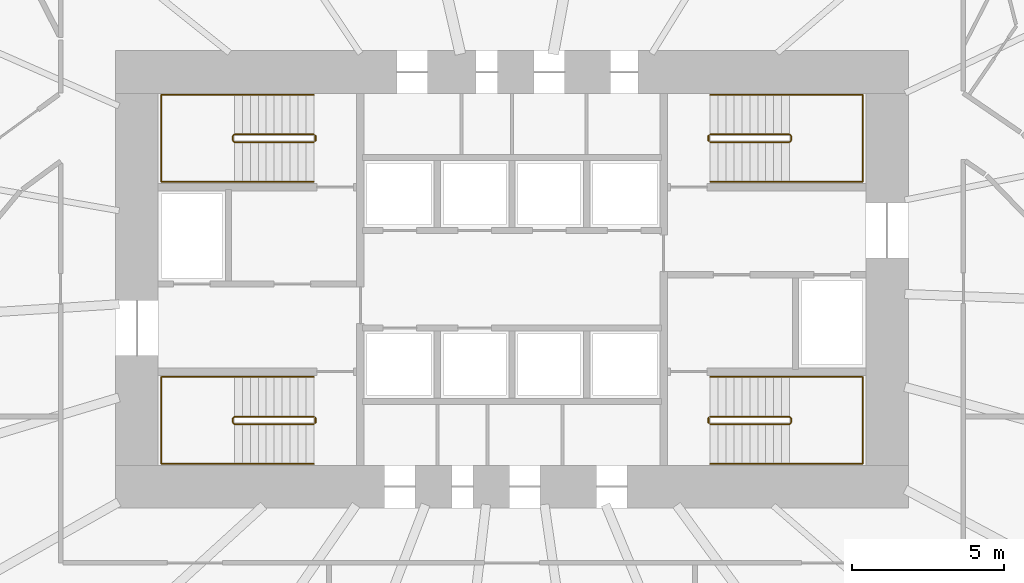
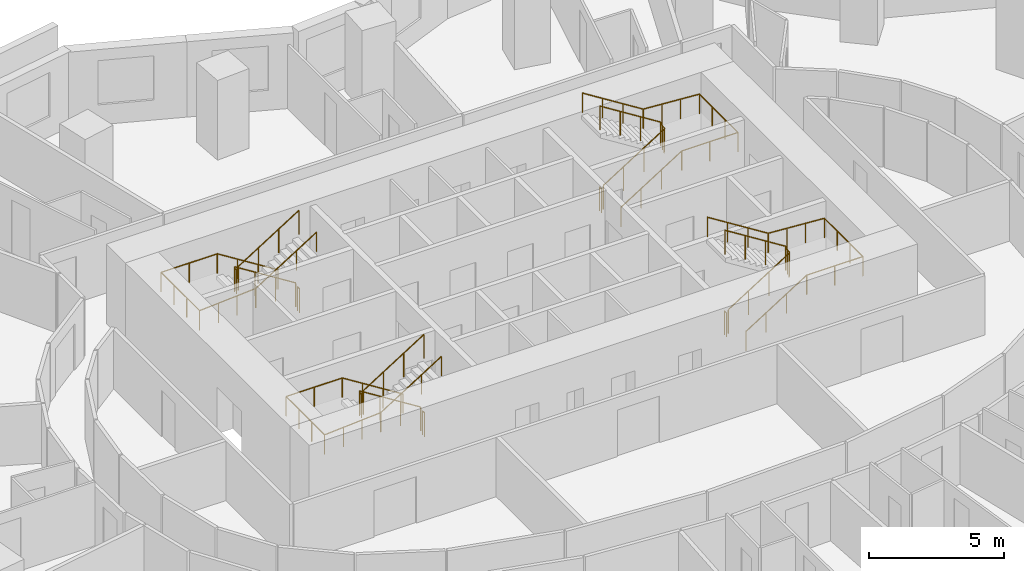
# One storey, part 11 of 11: 12 railings.
"""IFC4 building model written with IfcOpenShell, lengths in metres."""

from ifc_helpers import new_model, si_unit, direction, frame, origin, origin_2d, place, context, subcontext, project, spatial, circle, extrude, material, type_object, element, save


model = new_model("IFC4")

# Units and contexts
model_context = context("Model", 3, precision=1e-05, world=origin(), true_north=direction((0.0, 1.0)))
body_context = subcontext(model_context, "Body", "Model", "MODEL_VIEW")
ifc_project = project(units=[si_unit("LENGTHUNIT", "METRE"), si_unit("AREAUNIT", "SQUARE_METRE"), si_unit("VOLUMEUNIT", "CUBIC_METRE"), si_unit("PLANEANGLEUNIT", "RADIAN"), si_unit("MASSUNIT", "GRAM", prefix="KILO")], contexts=[model_context])

# Site, building, storey
site_placement = place(None, origin())
site = spatial("IfcSite", under=ifc_project, at=site_placement, CompositionType="ELEMENT")
building_placement = place(site_placement, origin())
building = spatial("IfcBuilding", under=site, at=building_placement, Name="Rubra Terraces Tower", CompositionType="ELEMENT")
storey_placement = place(building_placement, frame((0.0, 0.0, 69.89990234375)))
storey = spatial("IfcBuildingStorey", under=building, at=storey_placement, Name="L15", CompositionType="ELEMENT", Elevation=69.89990234375)

# Railings
ifc_material = material(Name="Stainless steel", Category="steel")
railing_type_1 = type_object("IfcRailingType", Name="Core stair guard 1100", PredefinedType="GUARDRAIL", material=ifc_material)
railing_1_placement = place(storey_placement, frame((-6.5, 0.0, 0.163818359375)))
element("IfcRailing", 1, at=railing_1_placement, inside=storey, type_object=railing_type_1, Name="L15 stair S1 guard 1", PredefinedType="GUARDRAIL", context=body_context, shape_type="SweptSolid", body=[
    extrude(circle(Radius=0.02392578125, at=origin_2d()), frame((0.0, 0.0, 1.076171875), z_axis=(-0.846360218416, 0.0, 0.532610909279), x_axis=(0.0, -1.0, 0.0)), (0.0, 0.0, 1.0), 3.072021484375),
    extrude(circle(Radius=0.02392578125, at=origin_2d()), frame((-2.60009765625, 0.0, 2.71240234375), z_axis=(-0.705375805398, -0.708833529934, 0.0), x_axis=(0.708833529934, -0.705375805398, 0.0)), (0.0, 0.0, 1.0), 0.070556640625),
    extrude(circle(Radius=0.02392578125, at=origin_2d()), frame((-2.64990234375, -0.050048828125, 2.71240234375), z_axis=(0.0, -1.0, 0.0), x_axis=(1.0, 0.0, 0.0)), (0.0, 0.0, 1.0), 0.14990234375),
    extrude(circle(Radius=0.02392578125, at=origin_2d()), frame((-2.64990234375, -0.199951171875, 2.71240234375), z_axis=(0.279546231943, -0.280916556609, 0.91811752648), x_axis=(0.708833529934, 0.705375805398, 0.0)), (0.0, 0.0, 1.0), 0.17822265625),
    extrude(circle(Radius=0.02392578125, at=origin_2d()), frame((-2.60009765625, -0.25, 2.8759765625), z_axis=(0.846324394277, 0.0, 0.532667832379), x_axis=(0.0, 1.0, 0.0)), (0.0, 0.0, 1.0), 3.072265625),
    extrude(circle(Radius=0.02099609375, at=origin_2d()), origin(), (0.0, 0.0, 1.0), 1.052001953125),
    extrude(circle(Radius=0.02099609375, at=origin_2d()), frame((-0.86669921875, 0.0, 0.54541015625)), (0.0, 0.0, 1.0), 1.052001953125),
    extrude(circle(Radius=0.02099609375, at=origin_2d()), frame((-1.7333984375, 0.0, 1.0908203125)), (0.0, 0.0, 1.0), 1.052001953125),
    extrude(circle(Radius=0.02099609375, at=origin_2d()), frame((-2.60009765625, 0.0, 1.63623046875)), (0.0, 0.0, 1.0), 1.052001953125),
    extrude(circle(Radius=0.02099609375, at=origin_2d()), frame((-2.64990234375, -0.050048828125, 1.63623046875)), (0.0, 0.0, 1.0), 1.052001953125),
    extrude(circle(Radius=0.02099609375, at=origin_2d()), frame((-2.64990234375, -0.199951171875, 1.63623046875)), (0.0, 0.0, 1.0), 1.052001953125),
    extrude(circle(Radius=0.02099609375, at=origin_2d()), frame((-2.60009765625, -0.25, 1.7998046875)), (0.0, 0.0, 1.0), 1.052001953125),
    extrude(circle(Radius=0.02099609375, at=origin_2d()), frame((-1.7333984375, -0.25, 2.34521484375)), (0.0, 0.0, 1.0), 1.052001953125),
    extrude(circle(Radius=0.02099609375, at=origin_2d()), frame((-0.86669921875, -0.25, 2.890869140625)), (0.0, 0.0, 1.0), 1.052001953125),
    extrude(circle(Radius=0.02099609375, at=origin_2d()), frame((0.0, -0.25, 3.436279296875)), (0.0, 0.0, 1.0), 1.052001953125),
])
railing_2_placement = place(storey_placement, frame((-6.449951171875, -0.050048828125, 0.0)))
element("IfcRailing", 2, at=railing_2_placement, inside=storey, type_object=railing_type_1, Name="L15 stair S1 guard 2", PredefinedType="GUARDRAIL", context=body_context, shape_type="SweptSolid", body=[
    extrude(circle(Radius=0.02392578125, at=origin_2d()), frame((0.0, 0.0, 1.076171875), z_axis=(0.0, -1.0, 0.0), x_axis=(1.0, 0.0, 0.0)), (0.0, 0.0, 1.0), 0.14990234375),
    extrude(circle(Radius=0.02099609375, at=origin_2d()), origin(), (0.0, 0.0, 1.0), 1.052001953125),
    extrude(circle(Radius=0.02099609375, at=origin_2d()), frame((0.0, -0.14990234375, 0.0)), (0.0, 0.0, 1.0), 1.052001953125),
])
railing_3_placement = place(storey_placement, frame((-6.5, 9.25, 0.163818359375)))
element("IfcRailing", 3, at=railing_3_placement, inside=storey, type_object=railing_type_1, Name="L15 stair S2 guard 1", PredefinedType="GUARDRAIL", context=body_context, shape_type="SweptSolid", body=[
    extrude(circle(Radius=0.02392578125, at=origin_2d()), frame((0.0, 0.0, 1.076171875), z_axis=(-0.846360218416, 0.0, 0.532610909279), x_axis=(0.0, -1.0, 0.0)), (0.0, 0.0, 1.0), 3.072021484375),
    extrude(circle(Radius=0.02392578125, at=origin_2d()), frame((-2.60009765625, 0.0, 2.71240234375), z_axis=(-0.705375805398, -0.708833529934, 0.0), x_axis=(0.708833529934, -0.705375805398, 0.0)), (0.0, 0.0, 1.0), 0.070556640625),
    extrude(circle(Radius=0.02392578125, at=origin_2d()), frame((-2.64990234375, -0.050048828125, 2.71240234375), z_axis=(0.0, -1.0, 0.0), x_axis=(1.0, 0.0, 0.0)), (0.0, 0.0, 1.0), 0.14990234375),
    extrude(circle(Radius=0.02392578125, at=origin_2d()), frame((-2.64990234375, -0.199951171875, 2.71240234375), z_axis=(0.279546231943, -0.280916556609, 0.91811752648), x_axis=(0.708833529934, 0.705375805398, 0.0)), (0.0, 0.0, 1.0), 0.17822265625),
    extrude(circle(Radius=0.02392578125, at=origin_2d()), frame((-2.60009765625, -0.25, 2.8759765625), z_axis=(0.846324394277, 0.0, 0.532667832379), x_axis=(0.0, 1.0, 0.0)), (0.0, 0.0, 1.0), 3.072265625),
    extrude(circle(Radius=0.02099609375, at=origin_2d()), origin(), (0.0, 0.0, 1.0), 1.052001953125),
    extrude(circle(Radius=0.02099609375, at=origin_2d()), frame((-0.86669921875, 0.0, 0.54541015625)), (0.0, 0.0, 1.0), 1.052001953125),
    extrude(circle(Radius=0.02099609375, at=origin_2d()), frame((-1.7333984375, 0.0, 1.0908203125)), (0.0, 0.0, 1.0), 1.052001953125),
    extrude(circle(Radius=0.02099609375, at=origin_2d()), frame((-2.60009765625, 0.0, 1.63623046875)), (0.0, 0.0, 1.0), 1.052001953125),
    extrude(circle(Radius=0.02099609375, at=origin_2d()), frame((-2.64990234375, -0.050048828125, 1.63623046875)), (0.0, 0.0, 1.0), 1.052001953125),
    extrude(circle(Radius=0.02099609375, at=origin_2d()), frame((-2.64990234375, -0.199951171875, 1.63623046875)), (0.0, 0.0, 1.0), 1.052001953125),
    extrude(circle(Radius=0.02099609375, at=origin_2d()), frame((-2.60009765625, -0.25, 1.7998046875)), (0.0, 0.0, 1.0), 1.052001953125),
    extrude(circle(Radius=0.02099609375, at=origin_2d()), frame((-1.7333984375, -0.25, 2.34521484375)), (0.0, 0.0, 1.0), 1.052001953125),
    extrude(circle(Radius=0.02099609375, at=origin_2d()), frame((-0.86669921875, -0.25, 2.890869140625)), (0.0, 0.0, 1.0), 1.052001953125),
    extrude(circle(Radius=0.02099609375, at=origin_2d()), frame((0.0, -0.25, 3.436279296875)), (0.0, 0.0, 1.0), 1.052001953125),
])
railing_4_placement = place(storey_placement, frame((-6.449951171875, 9.199951171875, 0.0)))
element("IfcRailing", 4, at=railing_4_placement, inside=storey, type_object=railing_type_1, Name="L15 stair S2 guard 2", PredefinedType="GUARDRAIL", context=body_context, shape_type="SweptSolid", body=[
    extrude(circle(Radius=0.02392578125, at=origin_2d()), frame((0.0, 0.0, 1.076171875), z_axis=(0.0, -1.0, 0.0), x_axis=(1.0, 0.0, 0.0)), (0.0, 0.0, 1.0), 0.14990234375),
    extrude(circle(Radius=0.02099609375, at=origin_2d()), origin(), (0.0, 0.0, 1.0), 1.052001953125),
    extrude(circle(Radius=0.02099609375, at=origin_2d()), frame((0.0, -0.14990234375, 0.0)), (0.0, 0.0, 1.0), 1.052001953125),
])
railing_5_placement = place(storey_placement, frame((6.5, 9.0, 0.163818359375)))
element("IfcRailing", 5, at=railing_5_placement, inside=storey, type_object=railing_type_1, Name="L15 stair S3 guard 1", PredefinedType="GUARDRAIL", context=body_context, shape_type="SweptSolid", body=[
    extrude(circle(Radius=0.02392578125, at=origin_2d()), frame((0.0, 0.0, 1.076171875), z_axis=(0.846360218416, 0.0, 0.532610909279), x_axis=(0.0, 1.0, 0.0)), (0.0, 0.0, 1.0), 3.072021484375),
    extrude(circle(Radius=0.02392578125, at=origin_2d()), frame((2.60009765625, 0.0, 2.71240234375), z_axis=(0.705375805398, 0.708833529934, 0.0), x_axis=(-0.708833529934, 0.705375805398, 0.0)), (0.0, 0.0, 1.0), 0.070556640625),
    extrude(circle(Radius=0.02392578125, at=origin_2d()), frame((2.64990234375, 0.050048828125, 2.71240234375), z_axis=(0.0, 1.0, 0.0), x_axis=(-1.0, 0.0, 0.0)), (0.0, 0.0, 1.0), 0.14990234375),
    extrude(circle(Radius=0.02392578125, at=origin_2d()), frame((2.64990234375, 0.199951171875, 2.71240234375), z_axis=(-0.279546231943, 0.280916556609, 0.91811752648), x_axis=(-0.708833529934, -0.705375805398, 0.0)), (0.0, 0.0, 1.0), 0.17822265625),
    extrude(circle(Radius=0.02392578125, at=origin_2d()), frame((2.60009765625, 0.25, 2.8759765625), z_axis=(-0.846324394277, 0.0, 0.532667832379), x_axis=(0.0, -1.0, 0.0)), (0.0, 0.0, 1.0), 3.072265625),
    extrude(circle(Radius=0.02099609375, at=origin_2d()), origin(), (0.0, 0.0, 1.0), 1.052001953125),
    extrude(circle(Radius=0.02099609375, at=origin_2d()), frame((0.86669921875, 0.0, 0.54541015625)), (0.0, 0.0, 1.0), 1.052001953125),
    extrude(circle(Radius=0.02099609375, at=origin_2d()), frame((1.7333984375, 0.0, 1.0908203125)), (0.0, 0.0, 1.0), 1.052001953125),
    extrude(circle(Radius=0.02099609375, at=origin_2d()), frame((2.60009765625, 0.0, 1.63623046875)), (0.0, 0.0, 1.0), 1.052001953125),
    extrude(circle(Radius=0.02099609375, at=origin_2d()), frame((2.64990234375, 0.050048828125, 1.63623046875)), (0.0, 0.0, 1.0), 1.052001953125),
    extrude(circle(Radius=0.02099609375, at=origin_2d()), frame((2.64990234375, 0.199951171875, 1.63623046875)), (0.0, 0.0, 1.0), 1.052001953125),
    extrude(circle(Radius=0.02099609375, at=origin_2d()), frame((2.60009765625, 0.25, 1.7998046875)), (0.0, 0.0, 1.0), 1.052001953125),
    extrude(circle(Radius=0.02099609375, at=origin_2d()), frame((1.7333984375, 0.25, 2.34521484375)), (0.0, 0.0, 1.0), 1.052001953125),
    extrude(circle(Radius=0.02099609375, at=origin_2d()), frame((0.86669921875, 0.25, 2.890869140625)), (0.0, 0.0, 1.0), 1.052001953125),
    extrude(circle(Radius=0.02099609375, at=origin_2d()), frame((0.0, 0.25, 3.436279296875)), (0.0, 0.0, 1.0), 1.052001953125),
])
railing_6_placement = place(storey_placement, frame((6.449951171875, 9.050048828125, 0.0)))
element("IfcRailing", 6, at=railing_6_placement, inside=storey, type_object=railing_type_1, Name="L15 stair S3 guard 2", PredefinedType="GUARDRAIL", context=body_context, shape_type="SweptSolid", body=[
    extrude(circle(Radius=0.02392578125, at=origin_2d()), frame((0.0, 0.0, 1.076171875), z_axis=(0.0, 1.0, 0.0), x_axis=(-1.0, 0.0, 0.0)), (0.0, 0.0, 1.0), 0.14990234375),
    extrude(circle(Radius=0.02099609375, at=origin_2d()), origin(), (0.0, 0.0, 1.0), 1.052001953125),
    extrude(circle(Radius=0.02099609375, at=origin_2d()), frame((0.0, 0.14990234375, 0.0)), (0.0, 0.0, 1.0), 1.052001953125),
])
railing_7_placement = place(storey_placement, frame((6.5, -0.25, 0.163818359375)))
element("IfcRailing", 7, at=railing_7_placement, inside=storey, type_object=railing_type_1, Name="L15 stair S4 guard 1", PredefinedType="GUARDRAIL", context=body_context, shape_type="SweptSolid", body=[
    extrude(circle(Radius=0.02392578125, at=origin_2d()), frame((0.0, 0.0, 1.076171875), z_axis=(0.846360218416, 0.0, 0.532610909279), x_axis=(0.0, 1.0, 0.0)), (0.0, 0.0, 1.0), 3.072021484375),
    extrude(circle(Radius=0.02392578125, at=origin_2d()), frame((2.60009765625, 0.0, 2.71240234375), z_axis=(0.705375805398, 0.708833529934, 0.0), x_axis=(-0.708833529934, 0.705375805398, 0.0)), (0.0, 0.0, 1.0), 0.070556640625),
    extrude(circle(Radius=0.02392578125, at=origin_2d()), frame((2.64990234375, 0.050048828125, 2.71240234375), z_axis=(0.0, 1.0, 0.0), x_axis=(-1.0, 0.0, 0.0)), (0.0, 0.0, 1.0), 0.14990234375),
    extrude(circle(Radius=0.02392578125, at=origin_2d()), frame((2.64990234375, 0.199951171875, 2.71240234375), z_axis=(-0.279546231943, 0.280916556609, 0.91811752648), x_axis=(-0.708833529934, -0.705375805398, 0.0)), (0.0, 0.0, 1.0), 0.17822265625),
    extrude(circle(Radius=0.02392578125, at=origin_2d()), frame((2.60009765625, 0.25, 2.8759765625), z_axis=(-0.846324394277, 0.0, 0.532667832379), x_axis=(0.0, -1.0, 0.0)), (0.0, 0.0, 1.0), 3.072265625),
    extrude(circle(Radius=0.02099609375, at=origin_2d()), origin(), (0.0, 0.0, 1.0), 1.052001953125),
    extrude(circle(Radius=0.02099609375, at=origin_2d()), frame((0.86669921875, 0.0, 0.54541015625)), (0.0, 0.0, 1.0), 1.052001953125),
    extrude(circle(Radius=0.02099609375, at=origin_2d()), frame((1.7333984375, 0.0, 1.0908203125)), (0.0, 0.0, 1.0), 1.052001953125),
    extrude(circle(Radius=0.02099609375, at=origin_2d()), frame((2.60009765625, 0.0, 1.63623046875)), (0.0, 0.0, 1.0), 1.052001953125),
    extrude(circle(Radius=0.02099609375, at=origin_2d()), frame((2.64990234375, 0.050048828125, 1.63623046875)), (0.0, 0.0, 1.0), 1.052001953125),
    extrude(circle(Radius=0.02099609375, at=origin_2d()), frame((2.64990234375, 0.199951171875, 1.63623046875)), (0.0, 0.0, 1.0), 1.052001953125),
    extrude(circle(Radius=0.02099609375, at=origin_2d()), frame((2.60009765625, 0.25, 1.7998046875)), (0.0, 0.0, 1.0), 1.052001953125),
    extrude(circle(Radius=0.02099609375, at=origin_2d()), frame((1.7333984375, 0.25, 2.34521484375)), (0.0, 0.0, 1.0), 1.052001953125),
    extrude(circle(Radius=0.02099609375, at=origin_2d()), frame((0.86669921875, 0.25, 2.890869140625)), (0.0, 0.0, 1.0), 1.052001953125),
    extrude(circle(Radius=0.02099609375, at=origin_2d()), frame((0.0, 0.25, 3.436279296875)), (0.0, 0.0, 1.0), 1.052001953125),
])
railing_8_placement = place(storey_placement, frame((6.449951171875, -0.199951171875, 0.0)))
element("IfcRailing", 8, at=railing_8_placement, inside=storey, type_object=railing_type_1, Name="L15 stair S4 guard 2", PredefinedType="GUARDRAIL", context=body_context, shape_type="SweptSolid", body=[
    extrude(circle(Radius=0.02392578125, at=origin_2d()), frame((0.0, 0.0, 1.076171875), z_axis=(0.0, 1.0, 0.0), x_axis=(-1.0, 0.0, 0.0)), (0.0, 0.0, 1.0), 0.14990234375),
    extrude(circle(Radius=0.02099609375, at=origin_2d()), origin(), (0.0, 0.0, 1.0), 1.052001953125),
    extrude(circle(Radius=0.02099609375, at=origin_2d()), frame((0.0, 0.14990234375, 0.0)), (0.0, 0.0, 1.0), 1.052001953125),
])
railing_type_2 = type_object("IfcRailingType", Name="Core stair handrail 900", PredefinedType="HANDRAIL", material=ifc_material)
railing_9_placement = place(storey_placement, frame((-6.5, 1.300048828125, 0.163818359375)))
element("IfcRailing", 9, at=railing_9_placement, inside=storey, type_object=railing_type_2, Name="L15 stair S1 handrail 1", PredefinedType="HANDRAIL", context=body_context, shape_type="SweptSolid", body=[
    extrude(circle(Radius=0.02392578125, at=origin_2d()), frame((0.0, 0.0, 0.8759765625), z_axis=(-0.846360218416, 0.0, 0.532610909279), x_axis=(0.0, -1.0, 0.0)), (0.0, 0.0, 1.0), 3.072021484375),
    extrude(circle(Radius=0.02392578125, at=origin_2d()), frame((-2.60009765625, 0.0, 2.51220703125), z_axis=(-1.0, 0.0, 0.0), x_axis=(0.0, -1.0, 0.0)), (0.0, 0.0, 1.0), 2.39990234375),
    extrude(circle(Radius=0.02392578125, at=origin_2d()), frame((-5.0, 0.0, 2.51220703125), z_axis=(0.0, -1.0, 0.0), x_axis=(1.0, 0.0, 0.0)), (0.0, 0.0, 1.0), 2.85009765625),
    extrude(circle(Radius=0.02392578125, at=origin_2d()), frame((-5.0, -2.85009765625, 2.51220703125), z_axis=(0.997685257876, 0.0, 0.068000928055), x_axis=(0.0, 1.0, 0.0)), (0.0, 0.0, 1.0), 2.405517578125),
    extrude(circle(Radius=0.02392578125, at=origin_2d()), frame((-2.60009765625, -2.85009765625, 2.67578125), z_axis=(0.846324394277, 0.0, 0.532667832379), x_axis=(0.0, 1.0, 0.0)), (0.0, 0.0, 1.0), 3.072265625),
    extrude(circle(Radius=0.02099609375, at=origin_2d()), origin(), (0.0, 0.0, 1.0), 0.851806640625),
    extrude(circle(Radius=0.02099609375, at=origin_2d()), frame((-0.86669921875, 0.0, 0.54541015625)), (0.0, 0.0, 1.0), 0.851806640625),
    extrude(circle(Radius=0.02099609375, at=origin_2d()), frame((-1.7333984375, 0.0, 1.0908203125)), (0.0, 0.0, 1.0), 0.851806640625),
    extrude(circle(Radius=0.02099609375, at=origin_2d()), frame((-2.60009765625, 0.0, 1.63623046875)), (0.0, 0.0, 1.0), 0.851806640625),
    extrude(circle(Radius=0.02099609375, at=origin_2d()), frame((-3.800048828125, 0.0, 1.63623046875)), (0.0, 0.0, 1.0), 0.851806640625),
    extrude(circle(Radius=0.02099609375, at=origin_2d()), frame((-5.0, 0.0, 1.63623046875)), (0.0, 0.0, 1.0), 0.851806640625),
    extrude(circle(Radius=0.02099609375, at=origin_2d()), frame((-5.0, -0.949951171875, 1.63623046875)), (0.0, 0.0, 1.0), 0.851806640625),
    extrude(circle(Radius=0.02099609375, at=origin_2d()), frame((-5.0, -1.900146484375, 1.63623046875)), (0.0, 0.0, 1.0), 0.851806640625),
    extrude(circle(Radius=0.02099609375, at=origin_2d()), frame((-5.0, -2.85009765625, 1.63623046875)), (0.0, 0.0, 1.0), 0.851806640625),
    extrude(circle(Radius=0.02099609375, at=origin_2d()), frame((-4.199951171875, -2.85009765625, 1.690673828125)), (0.0, 0.0, 1.0), 0.851806640625),
    extrude(circle(Radius=0.02099609375, at=origin_2d()), frame((-3.400146484375, -2.85009765625, 1.745361328125)), (0.0, 0.0, 1.0), 0.851806640625),
    extrude(circle(Radius=0.02099609375, at=origin_2d()), frame((-2.60009765625, -2.85009765625, 1.7998046875)), (0.0, 0.0, 1.0), 0.851806640625),
    extrude(circle(Radius=0.02099609375, at=origin_2d()), frame((-1.7333984375, -2.85009765625, 2.34521484375)), (0.0, 0.0, 1.0), 0.851806640625),
    extrude(circle(Radius=0.02099609375, at=origin_2d()), frame((-0.86669921875, -2.85009765625, 2.890869140625)), (0.0, 0.0, 1.0), 0.851806640625),
    extrude(circle(Radius=0.02099609375, at=origin_2d()), frame((0.0, -2.85009765625, 3.436279296875)), (0.0, 0.0, 1.0), 0.851806640625),
])
railing_10_placement = place(storey_placement, frame((-6.5, 10.550048828125, 0.163818359375)))
element("IfcRailing", 10, at=railing_10_placement, inside=storey, type_object=railing_type_2, Name="L15 stair S2 handrail 1", PredefinedType="HANDRAIL", context=body_context, shape_type="SweptSolid", body=[
    extrude(circle(Radius=0.02392578125, at=origin_2d()), frame((0.0, 0.0, 0.8759765625), z_axis=(-0.846360218416, 0.0, 0.532610909279), x_axis=(0.0, -1.0, 0.0)), (0.0, 0.0, 1.0), 3.072021484375),
    extrude(circle(Radius=0.02392578125, at=origin_2d()), frame((-2.60009765625, 0.0, 2.51220703125), z_axis=(-1.0, 0.0, 0.0), x_axis=(0.0, -1.0, 0.0)), (0.0, 0.0, 1.0), 2.39990234375),
    extrude(circle(Radius=0.02392578125, at=origin_2d()), frame((-5.0, 0.0, 2.51220703125), z_axis=(0.0, -1.0, 0.0), x_axis=(1.0, 0.0, 0.0)), (0.0, 0.0, 1.0), 2.85009765625),
    extrude(circle(Radius=0.02392578125, at=origin_2d()), frame((-5.0, -2.85009765625, 2.51220703125), z_axis=(0.997685257876, 0.0, 0.068000928055), x_axis=(0.0, 1.0, 0.0)), (0.0, 0.0, 1.0), 2.405517578125),
    extrude(circle(Radius=0.02392578125, at=origin_2d()), frame((-2.60009765625, -2.85009765625, 2.67578125), z_axis=(0.846324394277, 0.0, 0.532667832379), x_axis=(0.0, 1.0, 0.0)), (0.0, 0.0, 1.0), 3.072265625),
    extrude(circle(Radius=0.02099609375, at=origin_2d()), origin(), (0.0, 0.0, 1.0), 0.851806640625),
    extrude(circle(Radius=0.02099609375, at=origin_2d()), frame((-0.86669921875, 0.0, 0.54541015625)), (0.0, 0.0, 1.0), 0.851806640625),
    extrude(circle(Radius=0.02099609375, at=origin_2d()), frame((-1.7333984375, 0.0, 1.0908203125)), (0.0, 0.0, 1.0), 0.851806640625),
    extrude(circle(Radius=0.02099609375, at=origin_2d()), frame((-2.60009765625, 0.0, 1.63623046875)), (0.0, 0.0, 1.0), 0.851806640625),
    extrude(circle(Radius=0.02099609375, at=origin_2d()), frame((-3.800048828125, 0.0, 1.63623046875)), (0.0, 0.0, 1.0), 0.851806640625),
    extrude(circle(Radius=0.02099609375, at=origin_2d()), frame((-5.0, 0.0, 1.63623046875)), (0.0, 0.0, 1.0), 0.851806640625),
    extrude(circle(Radius=0.02099609375, at=origin_2d()), frame((-5.0, -0.949951171875, 1.63623046875)), (0.0, 0.0, 1.0), 0.851806640625),
    extrude(circle(Radius=0.02099609375, at=origin_2d()), frame((-5.0, -1.900146484375, 1.63623046875)), (0.0, 0.0, 1.0), 0.851806640625),
    extrude(circle(Radius=0.02099609375, at=origin_2d()), frame((-5.0, -2.85009765625, 1.63623046875)), (0.0, 0.0, 1.0), 0.851806640625),
    extrude(circle(Radius=0.02099609375, at=origin_2d()), frame((-4.199951171875, -2.85009765625, 1.690673828125)), (0.0, 0.0, 1.0), 0.851806640625),
    extrude(circle(Radius=0.02099609375, at=origin_2d()), frame((-3.400146484375, -2.85009765625, 1.745361328125)), (0.0, 0.0, 1.0), 0.851806640625),
    extrude(circle(Radius=0.02099609375, at=origin_2d()), frame((-2.60009765625, -2.85009765625, 1.7998046875)), (0.0, 0.0, 1.0), 0.851806640625),
    extrude(circle(Radius=0.02099609375, at=origin_2d()), frame((-1.7333984375, -2.85009765625, 2.34521484375)), (0.0, 0.0, 1.0), 0.851806640625),
    extrude(circle(Radius=0.02099609375, at=origin_2d()), frame((-0.86669921875, -2.85009765625, 2.890869140625)), (0.0, 0.0, 1.0), 0.851806640625),
    extrude(circle(Radius=0.02099609375, at=origin_2d()), frame((0.0, -2.85009765625, 3.436279296875)), (0.0, 0.0, 1.0), 0.851806640625),
])
railing_11_placement = place(storey_placement, frame((6.5, 7.699951171875, 0.163818359375)))
element("IfcRailing", 11, at=railing_11_placement, inside=storey, type_object=railing_type_2, Name="L15 stair S3 handrail 1", PredefinedType="HANDRAIL", context=body_context, shape_type="SweptSolid", body=[
    extrude(circle(Radius=0.02392578125, at=origin_2d()), frame((0.0, 0.0, 0.8759765625), z_axis=(0.846360218416, 0.0, 0.532610909279), x_axis=(0.0, 1.0, 0.0)), (0.0, 0.0, 1.0), 3.072021484375),
    extrude(circle(Radius=0.02392578125, at=origin_2d()), frame((2.60009765625, 0.0, 2.51220703125), z_axis=(1.0, 0.0, 0.0), x_axis=(0.0, 1.0, 0.0)), (0.0, 0.0, 1.0), 2.39990234375),
    extrude(circle(Radius=0.02392578125, at=origin_2d()), frame((5.0, 0.0, 2.51220703125), z_axis=(0.0, 1.0, 0.0), x_axis=(-1.0, 0.0, 0.0)), (0.0, 0.0, 1.0), 2.85009765625),
    extrude(circle(Radius=0.02392578125, at=origin_2d()), frame((5.0, 2.85009765625, 2.51220703125), z_axis=(-0.997685257876, 0.0, 0.068000928055), x_axis=(0.0, -1.0, 0.0)), (0.0, 0.0, 1.0), 2.405517578125),
    extrude(circle(Radius=0.02392578125, at=origin_2d()), frame((2.60009765625, 2.85009765625, 2.67578125), z_axis=(-0.846324394277, 0.0, 0.532667832379), x_axis=(0.0, -1.0, 0.0)), (0.0, 0.0, 1.0), 3.072265625),
    extrude(circle(Radius=0.02099609375, at=origin_2d()), origin(), (0.0, 0.0, 1.0), 0.851806640625),
    extrude(circle(Radius=0.02099609375, at=origin_2d()), frame((0.86669921875, 0.0, 0.54541015625)), (0.0, 0.0, 1.0), 0.851806640625),
    extrude(circle(Radius=0.02099609375, at=origin_2d()), frame((1.7333984375, 0.0, 1.0908203125)), (0.0, 0.0, 1.0), 0.851806640625),
    extrude(circle(Radius=0.02099609375, at=origin_2d()), frame((2.60009765625, 0.0, 1.63623046875)), (0.0, 0.0, 1.0), 0.851806640625),
    extrude(circle(Radius=0.02099609375, at=origin_2d()), frame((3.800048828125, 0.0, 1.63623046875)), (0.0, 0.0, 1.0), 0.851806640625),
    extrude(circle(Radius=0.02099609375, at=origin_2d()), frame((5.0, 0.0, 1.63623046875)), (0.0, 0.0, 1.0), 0.851806640625),
    extrude(circle(Radius=0.02099609375, at=origin_2d()), frame((5.0, 0.949951171875, 1.63623046875)), (0.0, 0.0, 1.0), 0.851806640625),
    extrude(circle(Radius=0.02099609375, at=origin_2d()), frame((5.0, 1.900146484375, 1.63623046875)), (0.0, 0.0, 1.0), 0.851806640625),
    extrude(circle(Radius=0.02099609375, at=origin_2d()), frame((5.0, 2.85009765625, 1.63623046875)), (0.0, 0.0, 1.0), 0.851806640625),
    extrude(circle(Radius=0.02099609375, at=origin_2d()), frame((4.199951171875, 2.85009765625, 1.690673828125)), (0.0, 0.0, 1.0), 0.851806640625),
    extrude(circle(Radius=0.02099609375, at=origin_2d()), frame((3.400146484375, 2.85009765625, 1.745361328125)), (0.0, 0.0, 1.0), 0.851806640625),
    extrude(circle(Radius=0.02099609375, at=origin_2d()), frame((2.60009765625, 2.85009765625, 1.7998046875)), (0.0, 0.0, 1.0), 0.851806640625),
    extrude(circle(Radius=0.02099609375, at=origin_2d()), frame((1.7333984375, 2.85009765625, 2.34521484375)), (0.0, 0.0, 1.0), 0.851806640625),
    extrude(circle(Radius=0.02099609375, at=origin_2d()), frame((0.86669921875, 2.85009765625, 2.890869140625)), (0.0, 0.0, 1.0), 0.851806640625),
    extrude(circle(Radius=0.02099609375, at=origin_2d()), frame((0.0, 2.85009765625, 3.436279296875)), (0.0, 0.0, 1.0), 0.851806640625),
])
railing_12_placement = place(storey_placement, frame((6.5, -1.550048828125, 0.163818359375)))
element("IfcRailing", 12, at=railing_12_placement, inside=storey, type_object=railing_type_2, Name="L15 stair S4 handrail 1", PredefinedType="HANDRAIL", context=body_context, shape_type="SweptSolid", body=[
    extrude(circle(Radius=0.02392578125, at=origin_2d()), frame((0.0, 0.0, 0.8759765625), z_axis=(0.846360218416, 0.0, 0.532610909279), x_axis=(0.0, 1.0, 0.0)), (0.0, 0.0, 1.0), 3.072021484375),
    extrude(circle(Radius=0.02392578125, at=origin_2d()), frame((2.60009765625, 0.0, 2.51220703125), z_axis=(1.0, 0.0, 0.0), x_axis=(0.0, 1.0, 0.0)), (0.0, 0.0, 1.0), 2.39990234375),
    extrude(circle(Radius=0.02392578125, at=origin_2d()), frame((5.0, 0.0, 2.51220703125), z_axis=(0.0, 1.0, 0.0), x_axis=(-1.0, 0.0, 0.0)), (0.0, 0.0, 1.0), 2.85009765625),
    extrude(circle(Radius=0.02392578125, at=origin_2d()), frame((5.0, 2.85009765625, 2.51220703125), z_axis=(-0.997685257876, 0.0, 0.068000928055), x_axis=(0.0, -1.0, 0.0)), (0.0, 0.0, 1.0), 2.405517578125),
    extrude(circle(Radius=0.02392578125, at=origin_2d()), frame((2.60009765625, 2.85009765625, 2.67578125), z_axis=(-0.846324394277, 0.0, 0.532667832379), x_axis=(0.0, -1.0, 0.0)), (0.0, 0.0, 1.0), 3.072265625),
    extrude(circle(Radius=0.02099609375, at=origin_2d()), origin(), (0.0, 0.0, 1.0), 0.851806640625),
    extrude(circle(Radius=0.02099609375, at=origin_2d()), frame((0.86669921875, 0.0, 0.54541015625)), (0.0, 0.0, 1.0), 0.851806640625),
    extrude(circle(Radius=0.02099609375, at=origin_2d()), frame((1.7333984375, 0.0, 1.0908203125)), (0.0, 0.0, 1.0), 0.851806640625),
    extrude(circle(Radius=0.02099609375, at=origin_2d()), frame((2.60009765625, 0.0, 1.63623046875)), (0.0, 0.0, 1.0), 0.851806640625),
    extrude(circle(Radius=0.02099609375, at=origin_2d()), frame((3.800048828125, 0.0, 1.63623046875)), (0.0, 0.0, 1.0), 0.851806640625),
    extrude(circle(Radius=0.02099609375, at=origin_2d()), frame((5.0, 0.0, 1.63623046875)), (0.0, 0.0, 1.0), 0.851806640625),
    extrude(circle(Radius=0.02099609375, at=origin_2d()), frame((5.0, 0.949951171875, 1.63623046875)), (0.0, 0.0, 1.0), 0.851806640625),
    extrude(circle(Radius=0.02099609375, at=origin_2d()), frame((5.0, 1.900146484375, 1.63623046875)), (0.0, 0.0, 1.0), 0.851806640625),
    extrude(circle(Radius=0.02099609375, at=origin_2d()), frame((5.0, 2.85009765625, 1.63623046875)), (0.0, 0.0, 1.0), 0.851806640625),
    extrude(circle(Radius=0.02099609375, at=origin_2d()), frame((4.199951171875, 2.85009765625, 1.690673828125)), (0.0, 0.0, 1.0), 0.851806640625),
    extrude(circle(Radius=0.02099609375, at=origin_2d()), frame((3.400146484375, 2.85009765625, 1.745361328125)), (0.0, 0.0, 1.0), 0.851806640625),
    extrude(circle(Radius=0.02099609375, at=origin_2d()), frame((2.60009765625, 2.85009765625, 1.7998046875)), (0.0, 0.0, 1.0), 0.851806640625),
    extrude(circle(Radius=0.02099609375, at=origin_2d()), frame((1.7333984375, 2.85009765625, 2.34521484375)), (0.0, 0.0, 1.0), 0.851806640625),
    extrude(circle(Radius=0.02099609375, at=origin_2d()), frame((0.86669921875, 2.85009765625, 2.890869140625)), (0.0, 0.0, 1.0), 0.851806640625),
    extrude(circle(Radius=0.02099609375, at=origin_2d()), frame((0.0, 2.85009765625, 3.436279296875)), (0.0, 0.0, 1.0), 0.851806640625),
])

save(model, "model.ifc")
